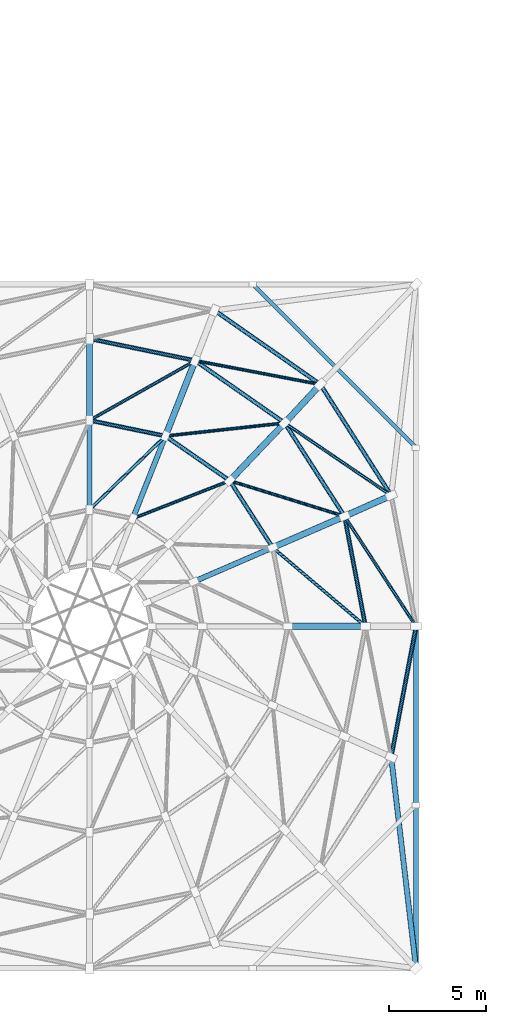
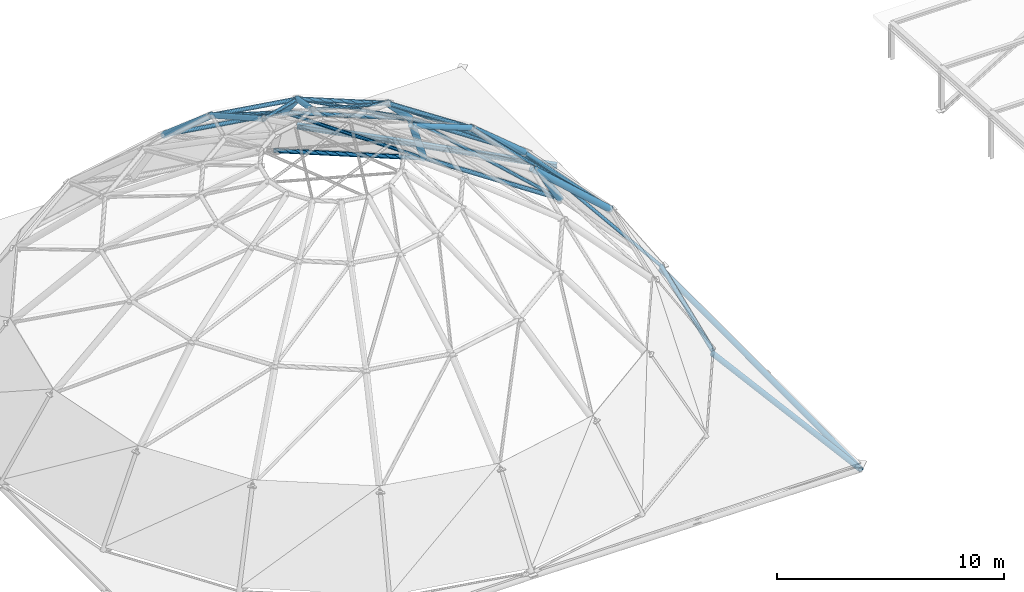
# One storey, part 5 of 49: 22 members, 10 beams.
"""IFC4 building model written with IfcOpenShell, lengths in metres."""

from ifc_helpers import new_model, si_unit, direction, frame, origin, origin_2d, place, context, subcontext, project, spatial, hollow_circle, i_section, extrude, material, material_profile, profile_set, type_object, element, save


model = new_model("IFC4")

# Units and contexts
model_context = context("Model", 3, precision=1e-05, world=origin(), true_north=direction((0.0, 1.0)))
body_context = subcontext(model_context, "Body", "Model", "MODEL_VIEW")
ifc_project = project(units=[si_unit("LENGTHUNIT", "METRE"), si_unit("AREAUNIT", "SQUARE_METRE"), si_unit("VOLUMEUNIT", "CUBIC_METRE"), si_unit("PLANEANGLEUNIT", "RADIAN"), si_unit("MASSUNIT", "GRAM", prefix="KILO")], contexts=[model_context])

# Site, building, storey
site_placement = place(None, origin())
site = spatial("IfcSite", under=ifc_project, at=site_placement, CompositionType="ELEMENT")
building_placement = place(site_placement, origin())
building = spatial("IfcBuilding", under=site, at=building_placement, Name="Kemercrest Conservatory and Botanical Centre", CompositionType="ELEMENT")
storey_placement = place(building_placement, frame((0.0, 0.0, 13.199951171875)))
storey = spatial("IfcBuildingStorey", under=building, at=storey_placement, Name="L03", CompositionType="ELEMENT", Elevation=13.199951171875)

# Member
ifc_material = material(Name="Steel CSA G40.21 350W", Category="steel")
ifc_material_profile_1 = material_profile(ifc_material, i_section(OverallWidth=0.202880859375, OverallDepth=0.251953125, WebThickness=0.008056640625, FlangeThickness=0.013427734375, FilletRadius=0.010986328125, at=origin_2d()), Name="W250X58")
ifc_profile_set_1 = profile_set([ifc_material_profile_1], Name="Steel CSA G40.21 350W")
member_type_1 = type_object("IfcMemberType", Name="BR-LAT250", PredefinedType="BRACE", material=ifc_profile_set_1)
member_1_placement = place(storey_placement, frame((41.60009765625, 43.60009765625, -0.14990234375), z_axis=(-0.707117056885, 0.707096505339, 0.0), x_axis=(-0.707096505339, -0.707117056885, 0.0)))
element("IfcMember", 1, at=member_1_placement, inside=storey, type_object=member_type_1, Name="Roof diaphragm corner wind brace BR-LAT250", PredefinedType="BRACE", context=body_context, shape_type="SweptSolid", body=[
    extrude(i_section(OverallWidth=0.202880859375, OverallDepth=0.251953125, WebThickness=0.008056640625, FlangeThickness=0.013427734375, FilletRadius=0.010986328125, at=origin_2d()), origin(), (0.0, 0.0, 1.0), 11.87939453125),
])

# Beams
ifc_material_profile_2 = material_profile(ifc_material, hollow_circle(Radius=0.136474609375, WallThickness=0.0126953125, at=origin_2d()), Name="CHS 273.1x12.7")
ifc_profile_set_2 = profile_set([ifc_material_profile_2], Name="Steel CSA G40.21 350W")
beam_type_1 = type_object("IfcBeamType", Name="GR-RIB273", PredefinedType="BEAM", material=ifc_profile_set_2)
beam_1_placement = place(storey_placement, frame((34.2236328125, 38.456298828125, 7.60009765625), z_axis=(-0.791433540731, -0.342696284227, 0.506154331586), x_axis=(0.397355321421, -0.917664834533, 0.0)))
element("IfcBeam", 2, at=beam_1_placement, inside=storey, type_object=beam_type_1, Name="Conservatory dome arch rib R2-01", PredefinedType="BEAM", context=body_context, shape_type="SweptSolid", body=[
    extrude(hollow_circle(Radius=0.136474609375, WallThickness=0.0126953125, at=origin_2d()), origin(), (0.0, 0.0, 1.0), 5.136474609375),
])
beam_2_placement = place(storey_placement, frame((28.703369140625, 44.193115234375, 7.60009765625), z_axis=(-0.32019434461, -0.808122800729, 0.494381553683), x_axis=(0.929683571061, -0.368359142277, 0.0)))
element("IfcBeam", 3, at=beam_2_placement, inside=storey, type_object=beam_type_1, Name="Conservatory dome arch rib R2-03", PredefinedType="BEAM", context=body_context, shape_type="SweptSolid", body=[
    extrude(hollow_circle(Radius=0.136474609375, WallThickness=0.0126953125, at=origin_2d()), origin(), (0.0, 0.0, 1.0), 5.2587890625),
])
beam_3_placement = place(storey_placement, frame((24.800048828125, 45.0, 7.60009765625), z_axis=(0.0, -0.87057918843, 0.492028329136), x_axis=(1.0, 0.0, 0.0)))
element("IfcBeam", 4, at=beam_3_placement, inside=storey, type_object=beam_type_1, Name="Conservatory dome arch rib R2-04", PredefinedType="BEAM", context=body_context, shape_type="SweptSolid", body=[
    extrude(hollow_circle(Radius=0.136474609375, WallThickness=0.0126953125, at=origin_2d()), origin(), (0.0, 0.0, 1.0), 5.283935546875),
])
ifc_material_profile_3 = material_profile(ifc_material, hollow_circle(Radius=0.161865234375, WallThickness=0.0126953125, at=origin_2d()), Name="CHS 323.9x12.7")
ifc_profile_set_3 = profile_set([ifc_material_profile_3], Name="Steel CSA G40.21 350W")
beam_type_2 = type_object("IfcBeamType", Name="GR-RIB324", PredefinedType="BEAM", material=ifc_profile_set_3)
beam_4_placement = place(storey_placement, frame((40.3212890625, 41.13525390625, 0.02001953125), z_axis=(-0.503522747608, -0.22461239346, 0.834274604279), x_axis=(0.407386850353, -0.913255689366, 0.0)))
element("IfcBeam", 5, at=beam_4_placement, inside=storey, type_object=beam_type_2, Name="Conservatory dome arch rib R0-01", PredefinedType="BEAM", context=body_context, shape_type="SweptSolid", body=[
    extrude(hollow_circle(Radius=0.161865234375, WallThickness=0.0126953125, at=origin_2d()), origin(), (0.0, 0.0, 1.0), 4.7705078125),
])
beam_5_placement = place(storey_placement, frame((36.679443359375, 46.84521484375, 0.02001953125), z_axis=(-0.382208800215, -0.411593861339, 0.827349337551), x_axis=(0.732780618974, -0.68046496196, 0.0)))
element("IfcBeam", 6, at=beam_5_placement, inside=storey, type_object=beam_type_2, Name="Conservatory dome arch rib R0-02", PredefinedType="BEAM", context=body_context, shape_type="SweptSolid", body=[
    extrude(hollow_circle(Radius=0.161865234375, WallThickness=0.0126953125, at=origin_2d()), origin(), (0.0, 0.0, 1.0), 4.810546875),
])
beam_6_placement = place(storey_placement, frame((39.0, 34.39990234375, 4.0), z_axis=(-0.743285123004, 0.0, 0.668974757313), x_axis=(0.0, -1.0, 0.0)))
element("IfcBeam", 7, at=beam_6_placement, inside=storey, type_object=beam_type_2, Name="Conservatory dome arch rib R1-00", PredefinedType="BEAM", context=body_context, shape_type="SweptSolid", body=[
    extrude(hollow_circle(Radius=0.161865234375, WallThickness=0.0126953125, at=origin_2d()), origin(), (0.0, 0.0, 1.0), 5.381591796875),
])
beam_7_placement = place(storey_placement, frame((37.919189453125, 40.063720703125, 4.0), z_axis=(-0.683874151301, -0.297458374325, 0.666209171902), x_axis=(0.398863448921, -0.917010332065, 0.0)))
element("IfcBeam", 8, at=beam_7_placement, inside=storey, type_object=beam_type_2, Name="Conservatory dome arch rib R1-01", PredefinedType="BEAM", context=body_context, shape_type="SweptSolid", body=[
    extrude(hollow_circle(Radius=0.161865234375, WallThickness=0.0126953125, at=origin_2d()), origin(), (0.0, 0.0, 1.0), 5.40380859375),
])
beam_8_placement = place(storey_placement, frame((34.8408203125, 44.865234375, 4.0), z_axis=(-0.518281509086, -0.544229137508, 0.659696083986), x_axis=(0.724159165442, -0.689632875598, 0.0)))
element("IfcBeam", 9, at=beam_8_placement, inside=storey, type_object=beam_type_2, Name="Conservatory dome arch rib R1-02", PredefinedType="BEAM", context=body_context, shape_type="SweptSolid", body=[
    extrude(hollow_circle(Radius=0.161865234375, WallThickness=0.0126953125, at=origin_2d()), origin(), (0.0, 0.0, 1.0), 5.457275390625),
])
beam_9_placement = place(storey_placement, frame((30.234130859375, 48.073486328125, 4.0), z_axis=(-0.277810095357, -0.704228653206, 0.653363264136), x_axis=(0.930234101349, -0.366966642472, 0.0)))
element("IfcBeam", 10, at=beam_9_placement, inside=storey, type_object=beam_type_2, Name="Conservatory dome arch rib R1-03", PredefinedType="BEAM", context=body_context, shape_type="SweptSolid", body=[
    extrude(hollow_circle(Radius=0.161865234375, WallThickness=0.0126953125, at=origin_2d()), origin(), (0.0, 0.0, 1.0), 5.510009765625),
])
beam_10_placement = place(storey_placement, frame((24.800048828125, 49.199951171875, 4.0), z_axis=(0.0, -0.759244140748, 0.650805911728), x_axis=(1.0, 0.0, 0.0)))
element("IfcBeam", 11, at=beam_10_placement, inside=storey, type_object=beam_type_2, Name="Conservatory dome arch rib R1-04", PredefinedType="BEAM", context=body_context, shape_type="SweptSolid", body=[
    extrude(hollow_circle(Radius=0.161865234375, WallThickness=0.0126953125, at=origin_2d()), origin(), (0.0, 0.0, 1.0), 5.53173828125),
])

# Members
ifc_material_profile_4 = material_profile(ifc_material, hollow_circle(Radius=0.084228515625, WallThickness=0.009521484375, at=origin_2d()), Name="CHS 168.3x9.5")
ifc_profile_set_4 = profile_set([ifc_material_profile_4], Name="Steel CSA G40.21 350W")
member_type_2 = type_object("IfcMemberType", Name="MB-DIAG168", PredefinedType="BRACE", material=ifc_profile_set_4)
member_2_placement = place(storey_placement, frame((41.60009765625, 34.39990234375, 0.02001953125), z_axis=(-0.469493789307, 0.722410719516, 0.507639965065), x_axis=(-0.838482425068, -0.544928640146, 0.0)))
element("IfcMember", 12, at=member_2_placement, inside=storey, type_object=member_type_2, Name="Conservatory dome diagrid brace R0-00", PredefinedType="BRACE", context=body_context, shape_type="SweptSolid", body=[
    extrude(hollow_circle(Radius=0.084228515625, WallThickness=0.009521484375, at=origin_2d()), origin(), (0.0, 0.0, 1.0), 7.840087890625),
])
member_3_placement = place(storey_placement, frame((40.3212890625, 41.13525390625, 0.02001953125), z_axis=(-0.708775576789, 0.482389222299, 0.51472110891), x_axis=(-0.562646416189, -0.826697653529, 0.0)))
element("IfcMember", 13, at=member_3_placement, inside=storey, type_object=member_type_2, Name="Conservatory dome diagrid brace R0-01", PredefinedType="BRACE", context=body_context, shape_type="SweptSolid", body=[
    extrude(hollow_circle(Radius=0.084228515625, WallThickness=0.009521484375, at=origin_2d()), origin(), (0.0, 0.0, 1.0), 7.732421875),
])
member_4_placement = place(storey_placement, frame((36.679443359375, 46.84521484375, 0.02001953125), z_axis=(-0.839884765954, 0.160055312785, 0.518628842977), x_axis=(-0.1871993085, -0.982321952772, 0.0)))
element("IfcMember", 14, at=member_4_placement, inside=storey, type_object=member_type_2, Name="Conservatory dome diagrid brace R0-02", PredefinedType="BRACE", context=body_context, shape_type="SweptSolid", body=[
    extrude(hollow_circle(Radius=0.084228515625, WallThickness=0.009521484375, at=origin_2d()), origin(), (0.0, 0.0, 1.0), 7.674072265625),
])
member_5_placement = place(storey_placement, frame((39.0, 34.39990234375, 4.0), z_axis=(-0.660910932157, 0.561287831619, 0.498149284685), x_axis=(-0.64732265645, -0.762216096948, 0.0)))
element("IfcMember", 15, at=member_5_placement, inside=storey, type_object=member_type_2, Name="Conservatory dome diagrid brace R1-00", PredefinedType="BRACE", context=body_context, shape_type="SweptSolid", body=[
    extrude(hollow_circle(Radius=0.084228515625, WallThickness=0.009521484375, at=origin_2d()), origin(), (0.0, 0.0, 1.0), 7.22705078125),
])
member_6_placement = place(storey_placement, frame((37.919189453125, 40.063720703125, 4.0), z_axis=(-0.8254529981, 0.255953889053, 0.503105311647), x_axis=(-0.296165762018, -0.955136556419, 0.0)))
element("IfcMember", 16, at=member_6_placement, inside=storey, type_object=member_type_2, Name="Conservatory dome diagrid brace R1-01", PredefinedType="BRACE", context=body_context, shape_type="SweptSolid", body=[
    extrude(hollow_circle(Radius=0.084228515625, WallThickness=0.009521484375, at=origin_2d()), origin(), (0.0, 0.0, 1.0), 7.15576171875),
])
member_7_placement = place(storey_placement, frame((34.8408203125, 44.865234375, 4.0), z_axis=(-0.858735465908, -0.094041081095, 0.503715866991), x_axis=(0.108860299988, -0.994057058265, 0.0)))
element("IfcMember", 17, at=member_7_placement, inside=storey, type_object=member_type_2, Name="Conservatory dome diagrid brace R1-02", PredefinedType="BRACE", context=body_context, shape_type="SweptSolid", body=[
    extrude(hollow_circle(Radius=0.084228515625, WallThickness=0.009521484375, at=origin_2d()), origin(), (0.0, 0.0, 1.0), 7.14697265625),
])
member_8_placement = place(storey_placement, frame((30.234130859375, 48.073486328125, 4.0), z_axis=(-0.754033805362, -0.426477292466, 0.499549936826), x_axis=(0.492305935315, -0.870422234351, 0.0)))
element("IfcMember", 18, at=member_8_placement, inside=storey, type_object=member_type_2, Name="Conservatory dome diagrid brace R1-03", PredefinedType="BRACE", context=body_context, shape_type="SweptSolid", body=[
    extrude(hollow_circle(Radius=0.084228515625, WallThickness=0.009521484375, at=origin_2d()), origin(), (0.0, 0.0, 1.0), 7.206787109375),
])
member_9_placement = place(storey_placement, frame((32.012451171875, 41.895263671875, 7.60009765625), z_axis=(-0.838011736516, -0.327607639404, 0.436359443654), x_axis=(0.364100550792, -0.93135964531, 0.0)))
element("IfcMember", 19, at=member_9_placement, inside=storey, type_object=member_type_2, Name="Conservatory dome diagrid brace R2-02", PredefinedType="BRACE", context=body_context, shape_type="SweptSolid", body=[
    extrude(hollow_circle(Radius=0.084228515625, WallThickness=0.009521484375, at=origin_2d()), origin(), (0.0, 0.0, 1.0), 5.9580078125),
])
member_10_placement = place(storey_placement, frame((28.703369140625, 44.193115234375, 7.60009765625), z_axis=(-0.647114732086, -0.628860494897, 0.431018562796), x_axis=(0.696919522679, -0.717149342124, 0.0)))
element("IfcMember", 20, at=member_10_placement, inside=storey, type_object=member_type_2, Name="Conservatory dome diagrid brace R2-03", PredefinedType="BRACE", context=body_context, shape_type="SweptSolid", body=[
    extrude(hollow_circle(Radius=0.084228515625, WallThickness=0.009521484375, at=origin_2d()), origin(), (0.0, 0.0, 1.0), 6.031982421875),
])
ifc_material_profile_5 = material_profile(ifc_material, hollow_circle(Radius=0.136474609375, WallThickness=0.0126953125, at=origin_2d()), Name="CHS 273.1x12.7")
ifc_profile_set_5 = profile_set([ifc_material_profile_5], Name="Steel CSA G40.21 350W")
member_type_3 = type_object("IfcMemberType", Name="MB-PEND273", PredefinedType="BRACE", material=ifc_profile_set_5)
member_11_placement = place(storey_placement, frame((41.60009765625, 16.800048828125, -0.25), z_axis=(-0.116890737429, 0.993102634036, 0.009149523166), x_axis=(-0.993144204831, -0.116895630419, 0.0)))
element("IfcMember", 21, at=member_11_placement, inside=storey, type_object=member_type_3, Name="Conservatory pendentive fan brace SE-15", PredefinedType="BRACE", context=body_context, shape_type="SweptSolid", body=[
    extrude(hollow_circle(Radius=0.136474609375, WallThickness=0.0126953125, at=origin_2d()), origin(), (0.0, 0.0, 1.0), 10.940185546875),
])
member_12_placement = place(storey_placement, frame((41.60009765625, 16.800048828125, -0.25), z_axis=(0.0, 0.999983827052, 0.005687322186), x_axis=(-1.0, 0.0, 0.0)))
element("IfcMember", 22, at=member_12_placement, inside=storey, type_object=member_type_3, Name="Conservatory pendentive fan brace SE-00", PredefinedType="BRACE", context=body_context, shape_type="SweptSolid", body=[
    extrude(hollow_circle(Radius=0.136474609375, WallThickness=0.0126953125, at=origin_2d()), origin(), (0.0, 0.0, 1.0), 17.60009765625),
])
ifc_material_profile_6 = material_profile(ifc_material, hollow_circle(Radius=0.109619140625, WallThickness=0.010009765625, at=origin_2d()), Name="CHS 219.1x10.0")
ifc_profile_set_6 = profile_set([ifc_material_profile_6], Name="Steel CSA G40.21 350W")
member_type_4 = type_object("IfcMemberType", Name="MB-RING219", PredefinedType="CHORD", material=ifc_profile_set_6)
member_13_placement = place(storey_placement, frame((40.3212890625, 41.13525390625, 0.02001953125), z_axis=(-0.537740594043, 0.843110344806, 0.0), x_axis=(-0.843110344806, -0.537740594043, 0.0)))
element("IfcMember", 23, at=member_13_placement, inside=storey, type_object=member_type_4, Name="Conservatory dome latitude ring R0-01", PredefinedType="CHORD", context=body_context, shape_type="SweptSolid", body=[
    extrude(hollow_circle(Radius=0.109619140625, WallThickness=0.010009765625, at=origin_2d()), origin(), (0.0, 0.0, 1.0), 6.7724609375),
])
member_14_placement = place(storey_placement, frame((36.679443359375, 46.84521484375, 0.02001953125), z_axis=(-0.819240540317, 0.573450030169, 0.0), x_axis=(-0.573450030169, -0.819240540317, 0.0)))
element("IfcMember", 24, at=member_14_placement, inside=storey, type_object=member_type_4, Name="Conservatory dome latitude ring R0-02", PredefinedType="CHORD", context=body_context, shape_type="SweptSolid", body=[
    extrude(hollow_circle(Radius=0.109619140625, WallThickness=0.010009765625, at=origin_2d()), origin(), (0.0, 0.0, 1.0), 6.653076171875),
])
member_15_placement = place(storey_placement, frame((40.3212890625, 27.664794921875, 0.02001953125), z_axis=(0.186539311687, 0.982447497424, 0.0), x_axis=(-0.982447497424, 0.186539311687, 0.0)))
element("IfcMember", 25, at=member_15_placement, inside=storey, type_object=member_type_4, Name="Conservatory dome latitude ring R0-15", PredefinedType="CHORD", context=body_context, shape_type="SweptSolid", body=[
    extrude(hollow_circle(Radius=0.109619140625, WallThickness=0.010009765625, at=origin_2d()), origin(), (0.0, 0.0, 1.0), 6.85546875),
])
member_16_placement = place(storey_placement, frame((39.0, 34.39990234375, 4.0), z_axis=(-0.187444805042, 0.98227513715, 0.0), x_axis=(-0.98227513715, -0.187444805042, 0.0)))
element("IfcMember", 26, at=member_16_placement, inside=storey, type_object=member_type_4, Name="Conservatory dome latitude ring R1-00", PredefinedType="CHORD", context=body_context, shape_type="SweptSolid", body=[
    extrude(hollow_circle(Radius=0.109619140625, WallThickness=0.010009765625, at=origin_2d()), origin(), (0.0, 0.0, 1.0), 5.76611328125),
])
member_17_placement = place(storey_placement, frame((37.919189453125, 40.063720703125, 4.0), z_axis=(-0.539725234225, 0.841841238917, 0.0), x_axis=(-0.841841238917, -0.539725234225, 0.0)))
element("IfcMember", 27, at=member_17_placement, inside=storey, type_object=member_type_4, Name="Conservatory dome latitude ring R1-01", PredefinedType="CHORD", context=body_context, shape_type="SweptSolid", body=[
    extrude(hollow_circle(Radius=0.109619140625, WallThickness=0.010009765625, at=origin_2d()), origin(), (0.0, 0.0, 1.0), 5.70361328125),
])
member_18_placement = place(storey_placement, frame((34.8408203125, 44.865234375, 4.0), z_axis=(-0.820604594636, 0.571496368547, 0.0), x_axis=(-0.571496368547, -0.820604594636, 0.0)))
element("IfcMember", 28, at=member_18_placement, inside=storey, type_object=member_type_4, Name="Conservatory dome latitude ring R1-02", PredefinedType="CHORD", context=body_context, shape_type="SweptSolid", body=[
    extrude(hollow_circle(Radius=0.109619140625, WallThickness=0.010009765625, at=origin_2d()), origin(), (0.0, 0.0, 1.0), 5.61376953125),
])
member_19_placement = place(storey_placement, frame((30.234130859375, 48.073486328125, 4.0), z_axis=(-0.979182696245, 0.202980903966, 0.0), x_axis=(-0.202980903966, -0.979182696245, 0.0)))
element("IfcMember", 29, at=member_19_placement, inside=storey, type_object=member_type_4, Name="Conservatory dome latitude ring R1-03", PredefinedType="CHORD", context=body_context, shape_type="SweptSolid", body=[
    extrude(hollow_circle(Radius=0.109619140625, WallThickness=0.010009765625, at=origin_2d()), origin(), (0.0, 0.0, 1.0), 5.549560546875),
])
member_20_placement = place(storey_placement, frame((34.2236328125, 38.456298828125, 7.60009765625), z_axis=(-0.540830022219, 0.841131908245, 0.0), x_axis=(-0.841131908245, -0.540830022219, 0.0)))
element("IfcMember", 30, at=member_20_placement, inside=storey, type_object=member_type_4, Name="Conservatory dome latitude ring R2-01", PredefinedType="CHORD", context=body_context, shape_type="SweptSolid", body=[
    extrude(hollow_circle(Radius=0.109619140625, WallThickness=0.010009765625, at=origin_2d()), origin(), (0.0, 0.0, 1.0), 4.08837890625),
])
member_21_placement = place(storey_placement, frame((32.012451171875, 41.895263671875, 7.60009765625), z_axis=(-0.821384161354, 0.570375367173, 0.0), x_axis=(-0.570375367173, -0.821384161354, 0.0)))
element("IfcMember", 31, at=member_21_placement, inside=storey, type_object=member_type_4, Name="Conservatory dome latitude ring R2-02", PredefinedType="CHORD", context=body_context, shape_type="SweptSolid", body=[
    extrude(hollow_circle(Radius=0.109619140625, WallThickness=0.010009765625, at=origin_2d()), origin(), (0.0, 0.0, 1.0), 4.028564453125),
])
member_22_placement = place(storey_placement, frame((28.703369140625, 44.193115234375, 7.60009765625), z_axis=(-0.979295186651, 0.20243749011, 0.0), x_axis=(-0.20243749011, -0.979295186651, 0.0)))
element("IfcMember", 32, at=member_22_placement, inside=storey, type_object=member_type_4, Name="Conservatory dome latitude ring R2-03", PredefinedType="CHORD", context=body_context, shape_type="SweptSolid", body=[
    extrude(hollow_circle(Radius=0.109619140625, WallThickness=0.010009765625, at=origin_2d()), origin(), (0.0, 0.0, 1.0), 3.98583984375),
])

save(model, "model.ifc")
